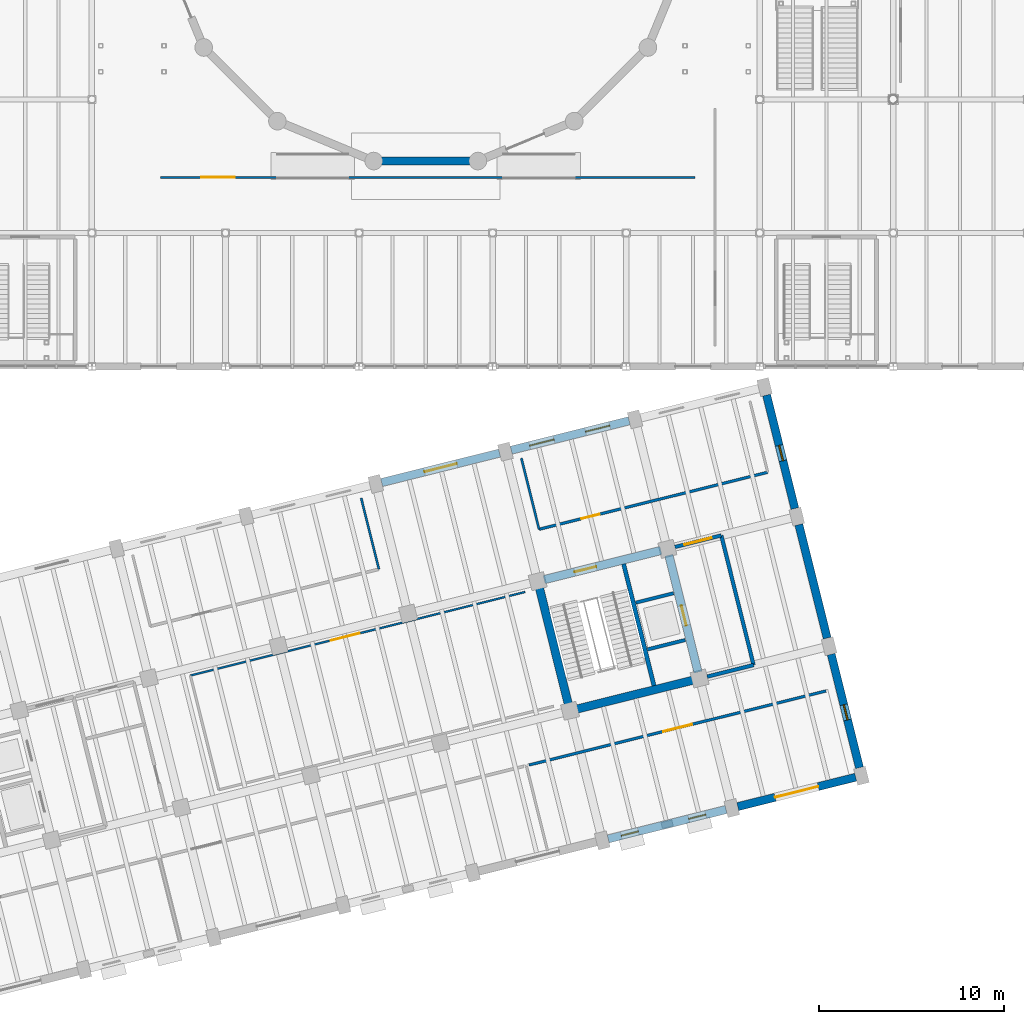
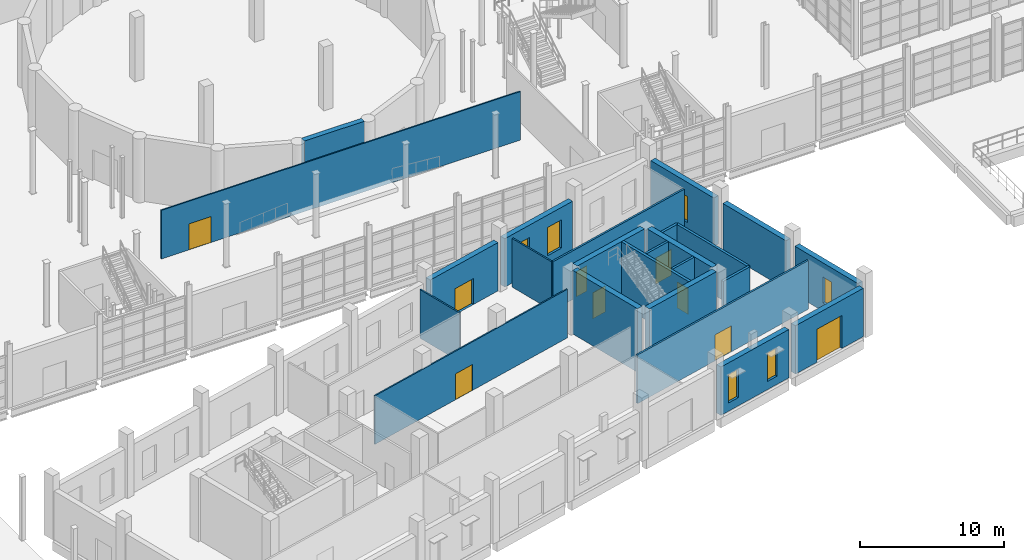
# One storey, part 65 of 79: 24 walls, 9 doors, 6 windows, 15 openings.
"""IFC4 building model written with IfcOpenShell, lengths in metres."""

from ifc_helpers import new_model, si_unit, direction, frame, frame_2d, origin, place, context, subcontext, project, spatial, rectangle, extrude, material, layer, layer_set, type_object, element, fill, save


model = new_model("IFC4")

# Units and contexts
model_context = context("Model", 3, precision=1e-05, world=origin(), true_north=direction((0.0, 1.0)))
body_context = subcontext(model_context, "Body", "Model", "MODEL_VIEW")
ifc_project = project(units=[si_unit("LENGTHUNIT", "METRE"), si_unit("AREAUNIT", "SQUARE_METRE"), si_unit("VOLUMEUNIT", "CUBIC_METRE"), si_unit("PLANEANGLEUNIT", "RADIAN"), si_unit("MASSUNIT", "GRAM", prefix="KILO")], contexts=[model_context])

# Site, building, storey
site_placement = place(None, origin())
site = spatial("IfcSite", under=ifc_project, at=site_placement, CompositionType="ELEMENT")
building_placement = place(site_placement, origin())
building = spatial("IfcBuilding", under=site, at=building_placement, Name="Qiaolan Assembly House", CompositionType="ELEMENT")
storey_placement = place(building_placement, origin())
storey = spatial("IfcBuildingStorey", under=building, at=storey_placement, Name="L00", CompositionType="ELEMENT", Elevation=0.0)

# Wall
ifc_material_1 = material(Name="Concrete C50/60", Category="concrete")
ifc_layer_1 = layer(ifc_material_1, 0.449951171875)
ifc_layer_set_1 = layer_set([ifc_layer_1], Name="Concrete C50/60")
wall_type_1 = type_object("IfcWallType", Name="WAL-CORE-450", PredefinedType="SHEAR", material=ifc_layer_set_1)
wall_1_placement = place(storey_placement, frame((76.5146484375, 17.521728515625, 0.0), z_axis=(0.0, 0.0, 1.0), x_axis=(0.970294759049, 0.241925774902, 0.0)))
element("IfcWall", 1, at=wall_1_placement, inside=storey, type_object=wall_type_1, Name="CW-450 shear core wall CORE-D S L00", PredefinedType="SHEAR", context=body_context, shape_type="SweptSolid", body=[
    extrude(rectangle(XDim=6.5, YDim=0.449951171875, at=frame_2d((3.25, 0.0))), origin(), (0.0, 0.0, 1.0), 5.39990234375),
])

# Wall, opening, door
wall_2_placement = place(storey_placement, frame((83.076416015625, 19.5185546875, 0.0), z_axis=(0.0, 0.0, 1.0), x_axis=(-0.241925774902, 0.970294759049, 0.0)))
wall_2 = element("IfcWall", 2, at=wall_2_placement, inside=storey, type_object=wall_type_1, Name="CW-450 shear core wall CORE-D E L00", PredefinedType="SHEAR", context=body_context, shape_type="SweptSolid", body=[
    extrude(rectangle(XDim=6.5, YDim=0.449951171875, at=frame_2d((3.25, 0.0))), origin(), (0.0, 0.0, 1.0), 5.39990234375),
])
opening_1_placement = place(wall_2_placement, frame((2.60009765625, 0.0, 0.0)))
opening_1 = element("IfcOpeningElement", 3, at=opening_1_placement, cuts=wall_2, Name="Opening LD-058", PredefinedType="OPENING", context=body_context, shape_type="SweptSolid", body=[
    extrude(rectangle(XDim=1.10009765625, YDim=2.199951171875, at=frame_2d((0.550048828125, 1.10009765625))), frame((0.0, 0.23486328125, 0.0), z_axis=(0.0, -1.0, 0.0), x_axis=(1.0, 0.0, 0.0)), (0.0, 0.0, 1.0), 0.469970703125),
])
ifc_material_2 = material(Name="Anodised bronze aluminium", Category="aluminium")
door_type_1 = type_object("IfcDoorType", Name="DOR-LIFT-LD1100", OperationType="SLIDING_TO_LEFT", PredefinedType="DOOR", material=ifc_material_2)
door_1_placement = place(opening_1_placement, origin())
door_1 = element("IfcDoor", 4, at=door_1_placement, inside=storey, type_object=door_type_1, Name="Lift landing door LD-058 (LF-08 L00)", OperationType="SLIDING_TO_LEFT", OverallHeight=2.199951171875, OverallWidth=1.10009765625, PredefinedType="DOOR", context=body_context, shape_type="SweptSolid", body=[
    extrude(rectangle(XDim=1.10009765625, YDim=2.199951171875, at=frame_2d((0.550048828125, 1.10009765625))), frame((0.0, 0.02490234375, 0.0), z_axis=(0.0, -1.0, 0.0), x_axis=(1.0, 0.0, 0.0)), (0.0, 0.0, 1.0), 0.050048828125),
])
fill(opening_1, door_1)

wall_3_placement = place(storey_placement, frame((81.07958984375, 26.08056640625, 0.0), z_axis=(0.0, 0.0, 1.0), x_axis=(-0.970294759049, -0.241925774902, 0.0)))
wall_3 = element("IfcWall", 5, at=wall_3_placement, inside=storey, type_object=wall_type_1, Name="CW-450 shear core wall CORE-D N L00", PredefinedType="SHEAR", context=body_context, shape_type="SweptSolid", body=[
    extrude(rectangle(XDim=6.5, YDim=0.449951171875, at=frame_2d((3.25, 0.0))), origin(), (0.0, 0.0, 1.0), 5.39990234375),
])
opening_2_placement = place(wall_3_placement, frame((3.60009765625, 0.0, 0.0)))
opening_2 = element("IfcOpeningElement", 6, at=opening_2_placement, cuts=wall_3, Name="Opening FD-095", PredefinedType="OPENING", context=body_context, shape_type="SweptSolid", body=[
    extrude(rectangle(XDim=1.199951171875, YDim=2.199951171875, at=frame_2d((0.60009765625, 1.10009765625))), frame((0.0, 0.23486328125, 0.0), z_axis=(0.0, -1.0, 0.0), x_axis=(1.0, 0.0, 0.0)), (0.0, 0.0, 1.0), 0.469970703125),
])
ifc_material_3 = material(Name="Steel Q355B", Category="steel")
door_type_2 = type_object("IfcDoorType", Name="DOR-FIRE-FD90-1200", OperationType="NOTDEFINED", PredefinedType="DOOR", material=ifc_material_3)
door_2_placement = place(opening_2_placement, frame((1.199951171875, 0.0, 0.0), z_axis=(0.0, 0.0, 1.0), x_axis=(-1.0, 0.0, 0.0)))
door_2 = element("IfcDoor", 7, at=door_2_placement, inside=storey, type_object=door_type_2, Name="Stairwell fire door FD-095 (CORE-D L00)", OperationType="SINGLE_SWING_LEFT", OverallHeight=2.199951171875, OverallWidth=1.199951171875, PredefinedType="DOOR", context=body_context, shape_type="SweptSolid", body=[
    extrude(rectangle(XDim=1.199951171875, YDim=2.199951171875, at=frame_2d((0.60009765625, 1.10009765625))), frame((0.0, 0.02490234375, 0.0), z_axis=(0.0, -1.0, 0.0), x_axis=(1.0, 0.0, 0.0)), (0.0, 0.0, 1.0), 0.050048828125),
])
fill(opening_2, door_2)

# Walls
wall_4_placement = place(storey_placement, frame((74.517822265625, 24.083740234375, 0.0), z_axis=(0.0, 0.0, 1.0), x_axis=(0.241925774902, -0.970294759049, 0.0)))
element("IfcWall", 8, at=wall_4_placement, inside=storey, type_object=wall_type_1, Name="CW-450 shear core wall CORE-D W L00", PredefinedType="SHEAR", context=body_context, shape_type="SweptSolid", body=[
    extrude(rectangle(XDim=6.5, YDim=0.449951171875, at=frame_2d((3.25, 0.0))), origin(), (0.0, 0.0, 1.0), 5.39990234375),
])
ifc_layer_2 = layer(ifc_material_1, 0.419921875)
ifc_layer_set_2 = layer_set([ifc_layer_2], Name="Concrete C50/60")
wall_type_2 = type_object("IfcWallType", Name="WAL-DRUM-420", PredefinedType="SHEAR", material=ifc_layer_set_2)
wall_5_placement = place(storey_placement, frame((70.809326171875, 47.07666015625, 0.0), z_axis=(0.0, 0.0, 1.0), x_axis=(-1.0, 0.0, 0.0)))
element("IfcWall", 9, at=wall_5_placement, inside=storey, type_object=wall_type_2, Name="DW-420 council chamber drum wall 12 L00", PredefinedType="SHEAR", context=body_context, shape_type="SweptSolid", body=[
    extrude(rectangle(XDim=4.818603515625, YDim=0.419921875, at=frame_2d((2.4091796875, 0.0))), origin(), (0.0, 0.0, 1.0), 5.39990234375),
])

# Wall, openings, windows
ifc_material_4 = material(Name="Honed pale limestone", Category="masonry")
ifc_layer_3 = layer(ifc_material_4, 0.43505859375)
ifc_layer_set_3 = layer_set([ifc_layer_3], Name="Honed pale limestone")
wall_type_3 = type_object("IfcWallType", Name="WAL-EXT-RUSTIC-420", PredefinedType="SOLIDWALL", material=ifc_layer_set_3)
wall_6_placement = place(storey_placement, frame((78.230224609375, 10.529052734375, 0.0), z_axis=(0.0, 0.0, 1.0), x_axis=(0.970291317579, 0.24193957723, 0.0)))
wall_6 = element("IfcWall", 10, at=wall_6_placement, inside=storey, type_object=wall_type_3, Name="EW-420 SE South boulevard wall L00 bay 7", PredefinedType="SOLIDWALL", context=body_context, shape_type="SweptSolid", body=[
    extrude(rectangle(XDim=6.55419921875, YDim=0.43505859375, at=frame_2d((3.277099609375, 0.0))), origin(), (0.0, 0.0, 1.0), 4.10009765625),
])
opening_3_placement = place(wall_6_placement, frame((0.72705078125, 0.0, 0.699951171875)))
opening_3 = element("IfcOpeningElement", 11, at=opening_3_placement, cuts=wall_6, Name="Opening WN-230", PredefinedType="OPENING", context=body_context, shape_type="SweptSolid", body=[
    extrude(rectangle(XDim=0.949951171875, YDim=2.39990234375, at=frame_2d((0.47509765625, 1.199951171875))), frame((0.0, 0.2275390625, 0.0), z_axis=(0.0, -1.0, 0.0), x_axis=(1.0, 0.0, 0.0)), (0.0, 0.0, 1.0), 0.455078125),
])
opening_4_placement = place(wall_6_placement, frame((4.47705078125, 0.0, 0.699951171875)))
opening_4 = element("IfcOpeningElement", 12, at=opening_4_placement, cuts=wall_6, Name="Opening WN-231", PredefinedType="OPENING", context=body_context, shape_type="SweptSolid", body=[
    extrude(rectangle(XDim=0.949951171875, YDim=2.39990234375, at=frame_2d((0.47509765625, 1.199951171875))), frame((0.0, 0.2275390625, 0.0), z_axis=(0.0, -1.0, 0.0), x_axis=(1.0, 0.0, 0.0)), (0.0, 0.0, 1.0), 0.455078125),
])
ifc_material_5 = material(Name="Low-E double insulating glass", Category="glass")
window_type_1 = type_object("IfcWindowType", Name="WIN-PUNCH-950x2400", PartitioningType="SINGLE_PANEL", PredefinedType="WINDOW", material=ifc_material_5)
window_1_placement = place(opening_3_placement, origin())
window_1 = element("IfcWindow", 13, at=window_1_placement, inside=storey, type_object=window_type_1, Name="WN-T06 splayed window WN-230", OverallHeight=2.39990234375, OverallWidth=0.949951171875, PartitioningType="SINGLE_PANEL", PredefinedType="WINDOW", context=body_context, shape_type="SweptSolid", body=[
    extrude(rectangle(XDim=0.949951171875, YDim=2.39990234375, at=frame_2d((0.47509765625, 1.199951171875))), frame((0.0, 0.030029296875, 0.0), z_axis=(0.0, -1.0, 0.0), x_axis=(1.0, 0.0, 0.0)), (0.0, 0.0, 1.0), 0.06005859375),
])
fill(opening_3, window_1)
window_2_placement = place(opening_4_placement, origin())
window_2 = element("IfcWindow", 14, at=window_2_placement, inside=storey, type_object=window_type_1, Name="WN-T06 splayed window WN-231", OverallHeight=2.39990234375, OverallWidth=0.949951171875, PartitioningType="SINGLE_PANEL", PredefinedType="WINDOW", context=body_context, shape_type="SweptSolid", body=[
    extrude(rectangle(XDim=0.949951171875, YDim=2.39990234375, at=frame_2d((0.47509765625, 1.199951171875))), frame((0.0, 0.030029296875, 0.0), z_axis=(0.0, -1.0, 0.0), x_axis=(1.0, 0.0, 0.0)), (0.0, 0.0, 1.0), 0.06005859375),
])
fill(opening_4, window_2)

# Wall, opening, door
wall_7_placement = place(storey_placement, frame((85.21630859375, 12.27099609375, 0.0), z_axis=(0.0, 0.0, 1.0), x_axis=(0.970300061562, 0.241904507055, 0.0)))
wall_7 = element("IfcWall", 15, at=wall_7_placement, inside=storey, type_object=wall_type_3, Name="EW-420 SE South boulevard wall L00 bay 8", PredefinedType="SOLIDWALL", context=body_context, shape_type="SweptSolid", body=[
    extrude(rectangle(XDim=6.553955078125, YDim=0.43505859375, at=frame_2d((3.27685546875, 0.0))), origin(), (0.0, 0.0, 1.0), 4.10009765625),
])
opening_5_placement = place(wall_7_placement, frame((2.076904296875, 0.0, 0.0)))
opening_5 = element("IfcOpeningElement", 16, at=opening_5_placement, cuts=wall_7, Name="Opening ED-014", PredefinedType="OPENING", context=body_context, shape_type="SweptSolid", body=[
    extrude(rectangle(XDim=2.39990234375, YDim=2.800048828125, at=frame_2d((1.199951171875, 1.39990234375))), frame((0.0, 0.2275390625, 0.0), z_axis=(0.0, -1.0, 0.0), x_axis=(1.0, 0.0, 0.0)), (0.0, 0.0, 1.0), 0.455078125),
])
door_type_3 = type_object("IfcDoorType", Name="DOR-ENTRY-MON-2400", OperationType="DOUBLE_DOOR_SINGLE_SWING", PredefinedType="DOOR", material=ifc_material_2)
door_3_placement = place(opening_5_placement, frame((2.39990234375, 0.0, 0.0), z_axis=(0.0, 0.0, 1.0), x_axis=(-1.0, 0.0, 0.0)))
door_3 = element("IfcDoor", 17, at=door_3_placement, inside=storey, type_object=door_type_3, Name="South Boulevard civic public entrance ED-014", OperationType="DOUBLE_DOOR_SINGLE_SWING", OverallHeight=2.800048828125, OverallWidth=2.39990234375, PredefinedType="DOOR", context=body_context, shape_type="SweptSolid", body=[
    extrude(rectangle(XDim=2.39990234375, YDim=2.800048828125, at=frame_2d((1.199951171875, 1.39990234375))), frame((0.0, 0.02490234375, 0.0), z_axis=(0.0, -1.0, 0.0), x_axis=(1.0, 0.0, 0.0)), (0.0, 0.0, 1.0), 0.050048828125),
])
fill(opening_5, door_3)

wall_8_placement = place(storey_placement, frame((72.3779296875, 31.331298828125, 0.0), z_axis=(0.0, 0.0, 1.0), x_axis=(-0.970291317579, -0.24193957723, 0.0)))
wall_8 = element("IfcWall", 18, at=wall_8_placement, inside=storey, type_object=wall_type_3, Name="EW-420 SE North court wall L00 bay 6", PredefinedType="SOLIDWALL", context=body_context, shape_type="SweptSolid", body=[
    extrude(rectangle(XDim=6.55419921875, YDim=0.43505859375, at=frame_2d((3.277099609375, 0.0))), origin(), (0.0, 0.0, 1.0), 4.10009765625),
])
opening_6_placement = place(wall_8_placement, frame((2.376953125, 0.0, 0.0)))
opening_6 = element("IfcOpeningElement", 19, at=opening_6_placement, cuts=wall_8, Name="Opening ED-016", PredefinedType="OPENING", context=body_context, shape_type="SweptSolid", body=[
    extrude(rectangle(XDim=1.800048828125, YDim=2.199951171875, at=frame_2d((0.89990234375, 1.10009765625))), frame((0.0, 0.2275390625, 0.0), z_axis=(0.0, -1.0, 0.0), x_axis=(1.0, 0.0, 0.0)), (0.0, 0.0, 1.0), 0.455078125),
])
door_type_4 = type_object("IfcDoorType", Name="DOR-CORR-DBL-1800", OperationType="DOUBLE_DOOR_SINGLE_SWING", PredefinedType="DOOR", material=ifc_material_2)
door_4_placement = place(opening_6_placement, frame((1.800048828125, 0.0, 0.0), z_axis=(0.0, 0.0, 1.0), x_axis=(-1.0, 0.0, 0.0)))
door_4 = element("IfcDoor", 20, at=door_4_placement, inside=storey, type_object=door_type_4, Name="SE Wing court/bridge portal ED-016", OperationType="DOUBLE_DOOR_SINGLE_SWING", OverallHeight=2.199951171875, OverallWidth=1.800048828125, PredefinedType="DOOR", context=body_context, shape_type="SweptSolid", body=[
    extrude(rectangle(XDim=1.800048828125, YDim=2.199951171875, at=frame_2d((0.89990234375, 1.10009765625))), frame((0.0, 0.02490234375, 0.0), z_axis=(0.0, -1.0, 0.0), x_axis=(1.0, 0.0, 0.0)), (0.0, 0.0, 1.0), 0.050048828125),
])
fill(opening_6, door_4)

# Wall, openings, windows
wall_9_placement = place(storey_placement, frame((79.364013671875, 33.072998046875, 0.0), z_axis=(0.0, 0.0, 1.0), x_axis=(-0.970300061562, -0.241904507055, 0.0)))
wall_9 = element("IfcWall", 21, at=wall_9_placement, inside=storey, type_object=wall_type_3, Name="EW-420 SE North court wall L00 bay 7", PredefinedType="SOLIDWALL", context=body_context, shape_type="SweptSolid", body=[
    extrude(rectangle(XDim=6.553955078125, YDim=0.43505859375, at=frame_2d((3.27685546875, 0.0))), origin(), (0.0, 0.0, 1.0), 4.10009765625),
])
opening_7_placement = place(wall_9_placement, frame((1.076904296875, 0.0, 0.64990234375)))
opening_7 = element("IfcOpeningElement", 22, at=opening_7_placement, cuts=wall_9, Name="Opening WN-240", PredefinedType="OPENING", context=body_context, shape_type="SweptSolid", body=[
    extrude(rectangle(XDim=1.35009765625, YDim=2.39990234375, at=frame_2d((0.675048828125, 1.199951171875))), frame((0.0, 0.2275390625, 0.0), z_axis=(0.0, -1.0, 0.0), x_axis=(1.0, 0.0, 0.0)), (0.0, 0.0, 1.0), 0.455078125),
])
opening_8_placement = place(wall_9_placement, frame((4.177001953125, 0.0, 0.64990234375)))
opening_8 = element("IfcOpeningElement", 23, at=opening_8_placement, cuts=wall_9, Name="Opening WN-241", PredefinedType="OPENING", context=body_context, shape_type="SweptSolid", body=[
    extrude(rectangle(XDim=1.35009765625, YDim=2.39990234375, at=frame_2d((0.675048828125, 1.199951171875))), frame((0.0, 0.2275390625, 0.0), z_axis=(0.0, -1.0, 0.0), x_axis=(1.0, 0.0, 0.0)), (0.0, 0.0, 1.0), 0.455078125),
])
window_type_2 = type_object("IfcWindowType", Name="WIN-COURT-1350x2400", PartitioningType="DOUBLE_PANEL_VERTICAL", PredefinedType="WINDOW", material=ifc_material_5)
window_3_placement = place(opening_7_placement, origin())
window_3 = element("IfcWindow", 24, at=window_3_placement, inside=storey, type_object=window_type_2, Name="SE court window WN-240", OverallHeight=2.39990234375, OverallWidth=1.35009765625, PartitioningType="DOUBLE_PANEL_VERTICAL", PredefinedType="WINDOW", context=body_context, shape_type="SweptSolid", body=[
    extrude(rectangle(XDim=1.35009765625, YDim=2.39990234375, at=frame_2d((0.675048828125, 1.199951171875))), frame((0.0, 0.030029296875, 0.0), z_axis=(0.0, -1.0, 0.0), x_axis=(1.0, 0.0, 0.0)), (0.0, 0.0, 1.0), 0.06005859375),
])
fill(opening_7, window_3)
window_4_placement = place(opening_8_placement, origin())
window_4 = element("IfcWindow", 25, at=window_4_placement, inside=storey, type_object=window_type_2, Name="SE court window WN-241", OverallHeight=2.39990234375, OverallWidth=1.35009765625, PartitioningType="DOUBLE_PANEL_VERTICAL", PredefinedType="WINDOW", context=body_context, shape_type="SweptSolid", body=[
    extrude(rectangle(XDim=1.35009765625, YDim=2.39990234375, at=frame_2d((0.675048828125, 1.199951171875))), frame((0.0, 0.030029296875, 0.0), z_axis=(0.0, -1.0, 0.0), x_axis=(1.0, 0.0, 0.0)), (0.0, 0.0, 1.0), 0.06005859375),
])
fill(opening_8, window_4)

# Wall, opening, window
wall_10_placement = place(storey_placement, frame((91.78076171875, 14.369384765625, 0.0), z_axis=(0.0, 0.0, 1.0), x_axis=(-0.241934154531, 0.970292669699, 0.0)))
wall_10 = element("IfcWall", 26, at=wall_10_placement, inside=storey, type_object=wall_type_3, Name="SE East wall L00-1", PredefinedType="SOLIDWALL", context=body_context, shape_type="SweptSolid", body=[
    extrude(rectangle(XDim=6.303955078125, YDim=0.43505859375, at=frame_2d((3.15185546875, 0.0))), origin(), (0.0, 0.0, 1.0), 4.10009765625),
])
opening_9_placement = place(wall_10_placement, frame((2.652099609375, 0.0, 0.699951171875)))
opening_9 = element("IfcOpeningElement", 27, at=opening_9_placement, cuts=wall_10, Name="Opening WN-244", PredefinedType="OPENING", context=body_context, shape_type="SweptSolid", body=[
    extrude(rectangle(XDim=0.85009765625, YDim=2.199951171875, at=frame_2d((0.425048828125, 1.10009765625))), frame((0.0, 0.2275390625, 0.0), z_axis=(0.0, -1.0, 0.0), x_axis=(1.0, 0.0, 0.0)), (0.0, 0.0, 1.0), 0.455078125),
])
window_type_3 = type_object("IfcWindowType", Name="WIN-END-850x2200", PartitioningType="SINGLE_PANEL", PredefinedType="WINDOW", material=ifc_material_5)
window_5_placement = place(opening_9_placement, origin())
window_5 = element("IfcWindow", 28, at=window_5_placement, inside=storey, type_object=window_type_3, Name="SE East window WN-244", OverallHeight=2.199951171875, OverallWidth=0.85009765625, PartitioningType="SINGLE_PANEL", PredefinedType="WINDOW", context=body_context, shape_type="SweptSolid", body=[
    extrude(rectangle(XDim=0.85009765625, YDim=2.199951171875, at=frame_2d((0.425048828125, 1.10009765625))), frame((0.0, 0.030029296875, 0.0), z_axis=(0.0, -1.0, 0.0), x_axis=(1.0, 0.0, 0.0)), (0.0, 0.0, 1.0), 0.06005859375),
])
fill(opening_9, window_5)

# Wall
wall_11_placement = place(storey_placement, frame((90.038818359375, 21.35546875, 0.0), z_axis=(0.0, 0.0, 1.0), x_axis=(-0.241934154531, 0.970292669699, 0.0)))
element("IfcWall", 29, at=wall_11_placement, inside=storey, type_object=wall_type_3, Name="SE East wall L00-2", PredefinedType="SOLIDWALL", context=body_context, shape_type="SweptSolid", body=[
    extrude(rectangle(XDim=6.303955078125, YDim=0.43505859375, at=frame_2d((3.15185546875, 0.0))), origin(), (0.0, 0.0, 1.0), 4.10009765625),
])

# Wall, opening, window
wall_12_placement = place(storey_placement, frame((88.296875, 28.341552734375, 0.0), z_axis=(0.0, 0.0, 1.0), x_axis=(-0.241888603038, 0.970304026437, 0.0)))
wall_12 = element("IfcWall", 30, at=wall_12_placement, inside=storey, type_object=wall_type_3, Name="SE East wall L00-3", PredefinedType="SOLIDWALL", context=body_context, shape_type="SweptSolid", body=[
    extrude(rectangle(XDim=6.30419921875, YDim=0.43505859375, at=frame_2d((3.152099609375, 0.0))), origin(), (0.0, 0.0, 1.0), 4.10009765625),
])
opening_10_placement = place(wall_12_placement, frame((2.652099609375, 0.0, 0.699951171875)))
opening_10 = element("IfcOpeningElement", 31, at=opening_10_placement, cuts=wall_12, Name="Opening WN-245", PredefinedType="OPENING", context=body_context, shape_type="SweptSolid", body=[
    extrude(rectangle(XDim=0.85009765625, YDim=2.199951171875, at=frame_2d((0.425048828125, 1.10009765625))), frame((0.0, 0.2275390625, 0.0), z_axis=(0.0, -1.0, 0.0), x_axis=(1.0, 0.0, 0.0)), (0.0, 0.0, 1.0), 0.455078125),
])
window_6_placement = place(opening_10_placement, origin())
window_6 = element("IfcWindow", 32, at=window_6_placement, inside=storey, type_object=window_type_3, Name="SE East window WN-245", OverallHeight=2.199951171875, OverallWidth=0.85009765625, PartitioningType="SINGLE_PANEL", PredefinedType="WINDOW", context=body_context, shape_type="SweptSolid", body=[
    extrude(rectangle(XDim=0.85009765625, YDim=2.199951171875, at=frame_2d((0.425048828125, 1.10009765625))), frame((0.0, 0.030029296875, 0.0), z_axis=(0.0, -1.0, 0.0), x_axis=(1.0, 0.0, 0.0)), (0.0, 0.0, 1.0), 0.06005859375),
])
fill(opening_10, window_6)

# Walls
ifc_material_6 = material(Name="Concrete C35/45", Category="concrete")
ifc_layer_4 = layer(ifc_material_6, 0.199951171875)
ifc_layer_set_4 = layer_set([ifc_layer_4], Name="Concrete C35/45")
wall_type_4 = type_object("IfcWallType", Name="WAL-LOBBY-200", PredefinedType="PARTITIONING", material=ifc_layer_set_4)
wall_13_placement = place(storey_placement, frame((86.072021484375, 19.90478515625, 0.0), z_axis=(0.0, 0.0, 1.0), x_axis=(-0.241937193493, 0.970291911955, 0.0)))
element("IfcWall", 33, at=wall_13_placement, inside=storey, type_object=wall_type_4, Name="Firefighting lift lobby east wall CORE-D L00", PredefinedType="PARTITIONING", context=body_context, shape_type="SweptSolid", body=[
    extrude(rectangle(XDim=7.199951171875, YDim=0.199951171875, at=frame_2d((3.60009765625, 0.0))), origin(), (0.0, 0.0, 1.0), 4.1201171875),
])
wall_14_placement = place(storey_placement, frame((83.568603515625, 19.280517578125, 0.0), z_axis=(0.0, 0.0, 1.0), x_axis=(0.970287048366, 0.241956698135, 0.0)))
element("IfcWall", 34, at=wall_14_placement, inside=storey, type_object=wall_type_4, Name="Firefighting lift lobby south wall CORE-D L00", PredefinedType="PARTITIONING", context=body_context, shape_type="SweptSolid", body=[
    extrude(rectangle(XDim=2.580078125, YDim=0.199951171875, at=frame_2d((1.2900390625, 0.0))), origin(), (0.0, 0.0, 1.0), 4.1201171875),
])

# Wall, opening, door
wall_15_placement = place(storey_placement, frame((84.330078125, 26.890869140625, 0.0), z_axis=(0.0, 0.0, 1.0), x_axis=(-0.970309259708, -0.2418676095, 0.0)))
wall_15 = element("IfcWall", 35, at=wall_15_placement, inside=storey, type_object=wall_type_4, Name="Firefighting lift lobby north wall CORE-D L00", PredefinedType="PARTITIONING", context=body_context, shape_type="SweptSolid", body=[
    extrude(rectangle(XDim=2.580078125, YDim=0.199951171875, at=frame_2d((1.2900390625, 0.0))), origin(), (0.0, 0.0, 1.0), 4.1201171875),
])
opening_11_placement = place(wall_15_placement, frame((0.550048828125, 0.0, 0.0)))
opening_11 = element("IfcOpeningElement", 36, at=opening_11_placement, cuts=wall_15, Name="Opening FD-096", PredefinedType="OPENING", context=body_context, shape_type="SweptSolid", body=[
    extrude(rectangle(XDim=1.5, YDim=2.199951171875, at=frame_2d((0.75, 1.10009765625))), frame((0.0, 0.10986328125, 0.0), z_axis=(0.0, -1.0, 0.0), x_axis=(1.0, 0.0, 0.0)), (0.0, 0.0, 1.0), 0.219970703125),
])
ifc_material_7 = material(Name="Acoustic oak panelling")
door_type_5 = type_object("IfcDoorType", Name="DOR-LOBBY-FD60-1500", OperationType="DOUBLE_DOOR_SINGLE_SWING", PredefinedType="DOOR", material=ifc_material_7)
door_5_placement = place(opening_11_placement, frame((1.5, 0.0, 0.0), z_axis=(0.0, 0.0, 1.0), x_axis=(-1.0, 0.0, 0.0)))
door_5 = element("IfcDoor", 37, at=door_5_placement, inside=storey, type_object=door_type_5, Name="Lobby corridor fire door FD-096", OperationType="DOUBLE_DOOR_SINGLE_SWING", OverallHeight=2.199951171875, OverallWidth=1.5, PredefinedType="DOOR", context=body_context, shape_type="SweptSolid", body=[
    extrude(rectangle(XDim=1.5, YDim=2.199951171875, at=frame_2d((0.75, 1.10009765625))), frame((0.0, 0.02490234375, 0.0), z_axis=(0.0, -1.0, 0.0), x_axis=(1.0, 0.0, 0.0)), (0.0, 0.0, 1.0), 0.050048828125),
])
fill(opening_11, door_5)

# Walls
ifc_material_8 = material(Name="Gypsum plasterboard partition")
ifc_layer_5 = layer(ifc_material_8, 0.1201171875)
ifc_layer_set_5 = layer_set([ifc_layer_5], Name="Gypsum plasterboard partition")
wall_type_5 = type_object("IfcWallType", Name="WAL-PART-120", PredefinedType="PARTITIONING", material=ifc_layer_set_5)
for number, where, z_axis, x_axis, name in (
    (38, (64.91650390625, 28.904052734375, 0.0), (0.0, 0.0, 1.0), (0.241924747697, -0.970295015164, 0.0), "Court Outlook Consultation Suite L00 east wall"),
    (39, (74.507568359375, 27.224609375, 0.0), (0.0, 0.0, 1.0), (-0.241924747697, 0.970295015164, 0.0), "Boulevard Wing Project Office L00 west wall"),
):
    element("IfcWall", number, at=place(storey_placement, frame(where, z_axis=z_axis, x_axis=x_axis)), inside=storey, type_object=wall_type_5, Name=name, PredefinedType="PARTITIONING", context=body_context, shape_type="SweptSolid", body=[
        extrude(rectangle(XDim=3.949951171875, YDim=0.1201171875, at=frame_2d((1.97509765625, 0.0))), origin(), (0.0, 0.0, 1.0), 4.1201171875),
    ])

# Wall, opening, door
ifc_layer_6 = layer(ifc_material_8, 0.14990234375)
ifc_layer_set_6 = layer_set([ifc_layer_6], Name="Gypsum plasterboard partition")
wall_type_6 = type_object("IfcWallType", Name="WAL-PART-150", PredefinedType="PARTITIONING", material=ifc_layer_set_6)
wall_16_placement = place(storey_placement, frame((73.966064453125, 14.51611328125, 0.0), z_axis=(0.0, 0.0, 1.0), x_axis=(0.970295493964, 0.24192282735, 0.0)))
wall_16 = element("IfcWall", 40, at=wall_16_placement, inside=storey, type_object=wall_type_6, Name="Public Waiting Concourse & Queue Ticketing Lounge north wall", PredefinedType="PARTITIONING", context=body_context, shape_type="SweptSolid", body=[
    extrude(rectangle(XDim=16.5, YDim=0.14990234375, at=frame_2d((8.25, 0.0))), origin(), (0.0, 0.0, 1.0), 4.1201171875),
])
opening_12_placement = place(wall_16_placement, frame((7.449951171875, 0.0, 0.0)))
opening_12 = element("IfcOpeningElement", 41, at=opening_12_placement, cuts=wall_16, Name="Opening SD-237", PredefinedType="OPENING", context=body_context, shape_type="SweptSolid", body=[
    extrude(rectangle(XDim=1.60009765625, YDim=2.199951171875, at=frame_2d((0.800048828125, 1.10009765625))), frame((0.0, 0.0849609375, 0.0), z_axis=(0.0, -1.0, 0.0), x_axis=(1.0, 0.0, 0.0)), (0.0, 0.0, 1.0), 0.169921875),
])
door_type_6 = type_object("IfcDoorType", Name="DOR-COMM-DBL-1600", OperationType="DOUBLE_DOOR_SINGLE_SWING", PredefinedType="DOOR", material=ifc_material_7)
door_6_placement = place(opening_12_placement, origin())
door_6 = element("IfcDoor", 42, at=door_6_placement, inside=storey, type_object=door_type_6, Name="Public Waiting Concourse & Queue Ticketing Lounge door SD-237", OperationType="DOUBLE_DOOR_SINGLE_SWING", OverallHeight=2.199951171875, OverallWidth=1.60009765625, PredefinedType="DOOR", context=body_context, shape_type="SweptSolid", body=[
    extrude(rectangle(XDim=1.60009765625, YDim=2.199951171875, at=frame_2d((0.800048828125, 1.10009765625))), frame((0.0, 0.02490234375, 0.0), z_axis=(0.0, -1.0, 0.0), x_axis=(1.0, 0.0, 0.0)), (0.0, 0.0, 1.0), 0.050048828125),
])
fill(opening_12, door_6)

wall_17_placement = place(storey_placement, frame((74.507568359375, 27.224609375, 0.0), z_axis=(0.0, 0.0, 1.0), x_axis=(0.970298350757, 0.241911369139, 0.0)))
wall_17 = element("IfcWall", 43, at=wall_17_placement, inside=storey, type_object=wall_type_6, Name="Boulevard Wing Project Office L00 south wall", PredefinedType="PARTITIONING", context=body_context, shape_type="SweptSolid", body=[
    extrude(rectangle(XDim=12.699951171875, YDim=0.14990234375, at=frame_2d((6.35009765625, 0.0))), origin(), (0.0, 0.0, 1.0), 4.1201171875),
])
opening_13_placement = place(wall_17_placement, frame((2.35009765625, 0.0, 0.0)))
opening_13 = element("IfcOpeningElement", 44, at=opening_13_placement, cuts=wall_17, Name="Opening SD-240", PredefinedType="OPENING", context=body_context, shape_type="SweptSolid", body=[
    extrude(rectangle(XDim=1.0, YDim=2.14990234375, at=frame_2d((0.5, 1.074951171875))), frame((0.0, 0.0849609375, 0.0), z_axis=(0.0, -1.0, 0.0), x_axis=(1.0, 0.0, 0.0)), (0.0, 0.0, 1.0), 0.169921875),
])
door_type_7 = type_object("IfcDoorType", Name="DOR-OFF-SGL-1000", OperationType="NOTDEFINED", PredefinedType="DOOR", material=ifc_material_7)
door_7_placement = place(opening_13_placement, origin())
door_7 = element("IfcDoor", 45, at=door_7_placement, inside=storey, type_object=door_type_7, Name="Boulevard Wing Project Office L00 door SD-240", OperationType="SINGLE_SWING_LEFT", OverallHeight=2.14990234375, OverallWidth=1.0, PredefinedType="DOOR", context=body_context, shape_type="SweptSolid", body=[
    extrude(rectangle(XDim=1.0, YDim=2.14990234375, at=frame_2d((0.5, 1.074951171875))), frame((0.0, 0.02490234375, 0.0), z_axis=(0.0, -1.0, 0.0), x_axis=(1.0, 0.0, 0.0)), (0.0, 0.0, 1.0), 0.050048828125),
])
fill(opening_13, door_7)

ifc_layer_7 = layer(ifc_material_5, 0.10498046875)
ifc_layer_set_7 = layer_set([ifc_layer_7], Name="Low-E double insulating glass")
wall_type_7 = type_object("IfcWallType", Name="WAL-PART-GLAZED-120", PredefinedType="PARTITIONING", material=ifc_layer_set_7)
wall_18_placement = place(storey_placement, frame((54.10009765625, 46.199951171875, 0.0), z_axis=(0.0, 0.0, 1.0), x_axis=(1.0, 0.0, 0.0)))
wall_18 = element("IfcWall", 46, at=wall_18_placement, inside=storey, type_object=wall_type_7, Name="Citizen Information & Public Petitions Hall partition wall", PredefinedType="PARTITIONING", context=body_context, shape_type="SweptSolid", body=[
    extrude(rectangle(XDim=28.7998046875, YDim=0.10498046875, at=frame_2d((14.39990234375, 0.0))), origin(), (0.0, 0.0, 1.0), 4.1201171875),
])
opening_14_placement = place(wall_18_placement, frame((2.199951171875, 0.0, 0.0)))
opening_14 = element("IfcOpeningElement", 47, at=opening_14_placement, cuts=wall_18, Name="Opening GD-156", PredefinedType="OPENING", context=body_context, shape_type="SweptSolid", body=[
    extrude(rectangle(XDim=1.800048828125, YDim=2.199951171875, at=frame_2d((0.89990234375, 1.10009765625))), frame((0.0, 0.0625, 0.0), z_axis=(0.0, -1.0, 0.0), x_axis=(1.0, 0.0, 0.0)), (0.0, 0.0, 1.0), 0.125),
])
door_8_placement = place(opening_14_placement, origin())
door_8 = element("IfcDoor", 48, at=door_8_placement, inside=storey, type_object=door_type_4, Name="Citizen Information & Public Petitions Hall door GD-156", OperationType="DOUBLE_DOOR_SINGLE_SWING", OverallHeight=2.199951171875, OverallWidth=1.800048828125, PredefinedType="DOOR", context=body_context, shape_type="SweptSolid", body=[
    extrude(rectangle(XDim=1.800048828125, YDim=2.199951171875, at=frame_2d((0.89990234375, 1.10009765625))), frame((0.0, 0.02490234375, 0.0), z_axis=(0.0, -1.0, 0.0), x_axis=(1.0, 0.0, 0.0)), (0.0, 0.0, 1.0), 0.050048828125),
])
fill(opening_14, door_8)

wall_19_placement = place(storey_placement, frame((73.753662109375, 23.841552734375, 0.0), z_axis=(0.0, 0.0, 1.0), x_axis=(-0.970295954135, -0.241920981706, 0.0)))
wall_19 = element("IfcWall", 49, at=wall_19_placement, inside=storey, type_object=wall_type_7, Name="Citizens Service Centre — Self-Service Kiosk Hall glazed partition", PredefinedType="PARTITIONING", context=body_context, shape_type="SweptSolid", body=[
    extrude(rectangle(XDim=18.60009765625, YDim=0.10498046875, at=frame_2d((9.300048828125, 0.0))), origin(), (0.0, 0.0, 1.0), 4.1201171875),
])
opening_15_placement = place(wall_19_placement, frame((9.199951171875, 0.0, 0.0)))
opening_15 = element("IfcOpeningElement", 50, at=opening_15_placement, cuts=wall_19, Name="Opening SD-238", PredefinedType="OPENING", context=body_context, shape_type="SweptSolid", body=[
    extrude(rectangle(XDim=1.60009765625, YDim=2.199951171875, at=frame_2d((0.800048828125, 1.10009765625))), frame((0.0, 0.0625, 0.0), z_axis=(0.0, -1.0, 0.0), x_axis=(1.0, 0.0, 0.0)), (0.0, 0.0, 1.0), 0.125),
])
door_9_placement = place(opening_15_placement, origin())
door_9 = element("IfcDoor", 51, at=door_9_placement, inside=storey, type_object=door_type_6, Name="Citizens Service Centre — Self-Service Kiosk Hall door SD-238", OperationType="DOUBLE_DOOR_SINGLE_SWING", OverallHeight=2.199951171875, OverallWidth=1.60009765625, PredefinedType="DOOR", context=body_context, shape_type="SweptSolid", body=[
    extrude(rectangle(XDim=1.60009765625, YDim=2.199951171875, at=frame_2d((0.800048828125, 1.10009765625))), frame((0.0, 0.02490234375, 0.0), z_axis=(0.0, -1.0, 0.0), x_axis=(1.0, 0.0, 0.0)), (0.0, 0.0, 1.0), 0.050048828125),
])
fill(opening_15, door_9)

# Walls
ifc_layer_8 = layer(ifc_material_6, 0.18505859375)
ifc_layer_set_8 = layer_set([ifc_layer_8], Name="Concrete C35/45")
wall_type_8 = type_object("IfcWallType", Name="WAL-SHAFT-200", PredefinedType="PARTITIONING", material=ifc_layer_set_8)
for number, where, z_axis, x_axis, name in (
    (52, (80.3486328125, 20.7451171875, 0.0), (0.0, 0.0, 1.0), (0.970292765557, 0.241933770084, 0.0), "SW-200 lift shaft wall LF-08 L00 DIVS"),
    (53, (79.7197265625, 23.267822265625, 0.0), (0.0, 0.0, 1.0), (0.970292765557, 0.241933770084, 0.0), "SW-200 lift shaft wall LF-08 L00 DIVN"),
):
    element("IfcWall", number, at=place(storey_placement, frame(where, z_axis=z_axis, x_axis=x_axis)), inside=storey, type_object=wall_type_8, Name=name, PredefinedType="PARTITIONING", context=body_context, shape_type="SweptSolid", body=[
        extrude(rectangle(XDim=2.10009765625, YDim=0.18505859375, at=frame_2d((1.050048828125, 0.0))), origin(), (0.0, 0.0, 1.0), 5.39990234375),
    ])
ifc_material_9 = material(Name="Concrete C40/50", Category="concrete")
ifc_layer_9 = layer(ifc_material_9, 0.22509765625)
ifc_layer_set_9 = layer_set([ifc_layer_9], Name="Concrete C40/50")
wall_type_9 = type_object("IfcWallType", Name="WAL-STAIR-DIV-225", PredefinedType="SHEAR", material=ifc_layer_set_9)
wall_20_placement = place(storey_placement, frame((80.701416015625, 18.79248046875, 0.0), z_axis=(0.0, 0.0, 1.0), x_axis=(-0.241898249226, 0.970301621673, 0.0)))
element("IfcWall", 54, at=wall_20_placement, inside=storey, type_object=wall_type_9, Name="SDW-225 stairwell structural spine wall CORE-D L00", PredefinedType="SHEAR", context=body_context, shape_type="SweptSolid", body=[
    extrude(rectangle(XDim=6.760009765625, YDim=0.22509765625, at=frame_2d((3.3798828125, 0.0))), origin(), (0.0, 0.0, 1.0), 5.39990234375),
])

save(model, "model.ifc")
